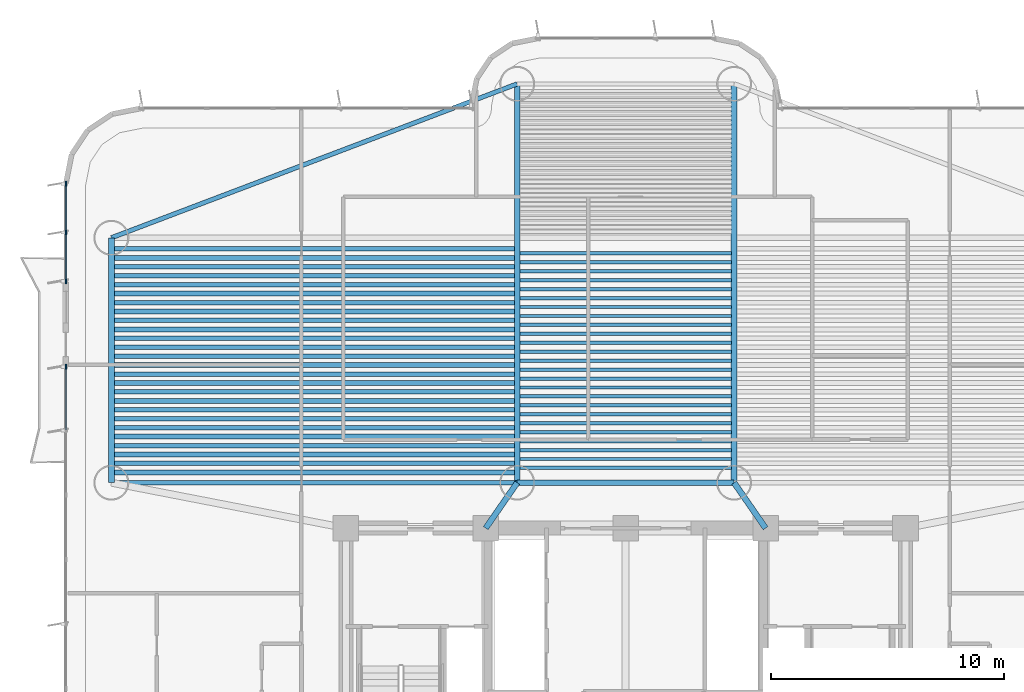
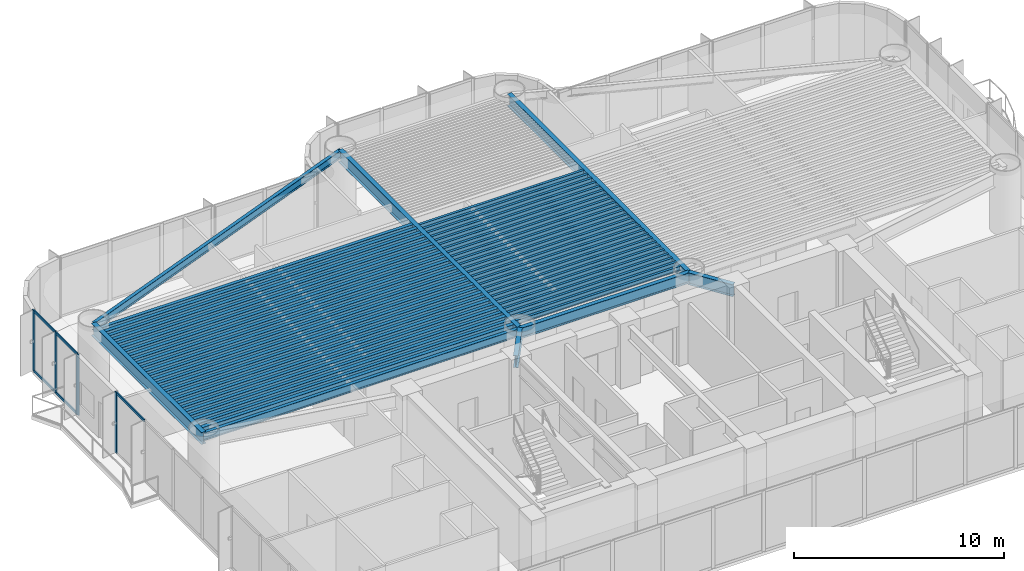
# One storey, part 3 of 17: 59 beams, 9 members, 2 elements without a shape of their own.
"""IFC4 building model written with IfcOpenShell, lengths in metres."""

from ifc_helpers import new_model, si_unit, direction, frame, origin, origin_2d, place, context, subcontext, project, spatial, rectangle, i_section, extrude, source, transform, mapped, material, layer, layer_set, material_profile, profile_set, type_object, element, aggregate, save


model = new_model("IFC4")

# Units and contexts
model_context = context("Model", 3, precision=1e-05, world=origin(), true_north=direction((0.0, 1.0)))
body_context = subcontext(model_context, "Body", "Model", "MODEL_VIEW")
ifc_project = project(units=[si_unit("LENGTHUNIT", "METRE"), si_unit("AREAUNIT", "SQUARE_METRE"), si_unit("VOLUMEUNIT", "CUBIC_METRE"), si_unit("PLANEANGLEUNIT", "RADIAN"), si_unit("MASSUNIT", "GRAM", prefix="KILO")], contexts=[model_context])

# Site, building, storey
site_placement = place(None, origin())
site = spatial("IfcSite", under=ifc_project, at=site_placement, CompositionType="ELEMENT")
building_placement = place(site_placement, origin())
building = spatial("IfcBuilding", under=site, at=building_placement, Name="Brelvock Crest Care Tower", CompositionType="ELEMENT")
storey_placement = place(building_placement, frame((0.0, 0.0, 45.89990234375)))
storey = spatial("IfcBuildingStorey", under=building, at=storey_placement, Name="L11", CompositionType="ELEMENT", Elevation=45.89990234375)

# Beams
ifc_material_1 = material(Name="Steel Grade 350", Category="steel")
ifc_material_profile_1 = material_profile(ifc_material_1, i_section(OverallWidth=0.25, OverallDepth=0.699951171875, WebThickness=0.011962890625, FlangeThickness=0.02001953125, at=origin_2d()), Name="700WB150")
ifc_profile_set_1 = profile_set([ifc_material_profile_1], Name="Steel Grade 350")
beam_type_1 = type_object("IfcBeamType", Name="BM-G4", PredefinedType="BEAM", material=ifc_profile_set_1)
shared_shape_1 = source(origin(), body_context, "Body", "SweptSolid", [
    extrude(i_section(OverallWidth=0.25, OverallDepth=0.699951171875, WebThickness=0.011962890625, FlangeThickness=0.02001953125, at=origin_2d()), origin(), (0.0, 0.0, 1.0), 10.5),
])
beam_1_placement = place(storey_placement, frame((13.949951171875, 19.949951171875, 3.18017578125), z_axis=(0.0, 1.0, 0.0), x_axis=(-1.0, 0.0, 0.0)))
element("IfcBeam", 1, at=beam_1_placement, inside=storey, type_object=beam_type_1, Name="BM-TWR-L11-01", PredefinedType="BEAM", context=body_context, shape_type="MappedRepresentation", body=[
    mapped(shared_shape_1, transform((0.0, 0.0, 0.0), x_axis=(1.0, 0.0, 0.0), y_axis=(0.0, 1.0, 0.0), z_axis=(0.0, 0.0, 1.0), scale=1.0)),
])
ifc_material_profile_2 = material_profile(ifc_material_1, i_section(OverallWidth=0.19091796875, OverallDepth=0.4599609375, WebThickness=0.010009765625, FlangeThickness=0.01611328125, FilletRadius=0.011474609375, at=origin_2d()), Name="460UB82.1")
ifc_profile_set_2 = profile_set([ifc_material_profile_2], Name="Steel Grade 350")
beam_type_2 = type_object("IfcBeamType", Name="BM-SP2", PredefinedType="SPANDREL", material=ifc_profile_set_2)
shared_shape_2 = source(origin(), body_context, "Body", "SweptSolid", [
    extrude(i_section(OverallWidth=0.19091796875, OverallDepth=0.4599609375, WebThickness=0.010009765625, FlangeThickness=0.01611328125, FilletRadius=0.011474609375, at=origin_2d()), origin(), (0.0, 0.0, 1.0), 17.400146484375),
])
beam_2_placement = place(storey_placement, frame((13.949951171875, 19.949951171875, 3.300048828125), z_axis=(1.0, 0.0, 0.0), x_axis=(0.0, 1.0, 0.0)))
element("IfcBeam", 2, at=beam_2_placement, inside=storey, type_object=beam_type_2, Name="BM-TWR-L11-03", PredefinedType="SPANDREL", context=body_context, shape_type="MappedRepresentation", body=[
    mapped(shared_shape_2, transform((0.0, 0.0, 0.0), x_axis=(1.0, 0.0, 0.0), y_axis=(0.0, 1.0, 0.0), z_axis=(0.0, 0.0, 1.0), scale=1.0)),
])
ifc_material_profile_3 = material_profile(ifc_material_1, i_section(OverallWidth=0.22900390625, OverallDepth=0.612060546875, WebThickness=0.011962890625, FlangeThickness=0.01953125, FilletRadius=0.013916015625, at=origin_2d()), Name="610UB125")
ifc_profile_set_3 = profile_set([ifc_material_profile_3], Name="Steel Grade 350")
beam_type_3 = type_object("IfcBeamType", Name="BM-G1", PredefinedType="BEAM", material=ifc_profile_set_3)
shared_shape_3 = source(origin(), body_context, "Body", "SweptSolid", [
    extrude(i_section(OverallWidth=0.22900390625, OverallDepth=0.612060546875, WebThickness=0.011962890625, FlangeThickness=0.01953125, FilletRadius=0.013916015625, at=origin_2d()), origin(), (0.0, 0.0, 1.0), 9.2998046875),
])
beam_3_placement = place(storey_placement, frame((31.35009765625, 19.949951171875, 3.22412109375), z_axis=(1.0, 0.0, 0.0), x_axis=(0.0, 1.0, 0.0)))
element("IfcBeam", 3, at=beam_3_placement, inside=storey, type_object=beam_type_3, Name="BM-TWR-L11-05", PredefinedType="BEAM", context=body_context, shape_type="MappedRepresentation", body=[
    mapped(shared_shape_3, transform((0.0, 0.0, 0.0), x_axis=(1.0, 0.0, 0.0), y_axis=(0.0, 1.0, 0.0), z_axis=(0.0, 0.0, 1.0), scale=1.0)),
])
shared_shape_4 = source(origin(), body_context, "Body", "SweptSolid", [
    extrude(i_section(OverallWidth=0.19091796875, OverallDepth=0.4599609375, WebThickness=0.010009765625, FlangeThickness=0.01611328125, FilletRadius=0.011474609375, at=origin_2d()), origin(), (0.0, 0.0, 1.0), 18.60986328125),
])
beam_4_placement = place(storey_placement, frame((13.949951171875, 30.449951171875, 3.300048828125), z_axis=(0.934996776275, 0.3546562115, 0.0), x_axis=(-0.3546562115, 0.934996776275, 0.0)))
element("IfcBeam", 4, at=beam_4_placement, inside=storey, type_object=beam_type_2, Name="BM-TWR-L11-06", PredefinedType="SPANDREL", context=body_context, shape_type="MappedRepresentation", body=[
    mapped(shared_shape_4, transform((0.0, 0.0, 0.0), x_axis=(1.0, 0.0, 0.0), y_axis=(0.0, 1.0, 0.0), z_axis=(0.0, 0.0, 1.0), scale=1.0)),
])
shared_shape_5 = source(origin(), body_context, "Body", "SweptSolid", [
    extrude(i_section(OverallWidth=0.25, OverallDepth=0.699951171875, WebThickness=0.011962890625, FlangeThickness=0.02001953125, at=origin_2d()), origin(), (0.0, 0.0, 1.0), 17.10009765625),
])
for number, where, z_axis, x_axis, name in (
    (5, (31.35009765625, 19.949951171875, 3.18017578125), (0.0, 1.0, 0.0), (-1.0, 0.0, 0.0), "BM-TWR-L11-09"),
    (6, (40.64990234375, 19.949951171875, 3.18017578125), (0.0, 1.0, 0.0), (-1.0, 0.0, 0.0), "BM-TWR-L11-10"),
):
    element("IfcBeam", number, at=place(storey_placement, frame(where, z_axis=z_axis, x_axis=x_axis)), inside=storey, type_object=beam_type_1, Name=name, PredefinedType="BEAM", context=body_context, shape_type="MappedRepresentation", body=[
        mapped(shared_shape_5, transform((0.0, 0.0, 0.0), x_axis=(1.0, 0.0, 0.0), y_axis=(0.0, 1.0, 0.0), z_axis=(0.0, 0.0, 1.0), scale=1.0)),
    ])
shared_shape_6 = source(origin(), body_context, "Body", "SweptSolid", [
    extrude(i_section(OverallWidth=0.25, OverallDepth=0.699951171875, WebThickness=0.011962890625, FlangeThickness=0.02001953125, at=origin_2d()), origin(), (0.0, 0.0, 1.0), 2.371826171875),
])
for number, where, z_axis, x_axis, name in (
    (7, (30.0, 18.0, 3.18017578125), (0.569247447691, 0.8221662504, 0.0), (-0.8221662504, 0.569247447691, 0.0), "BM-THRW-L11"),
    (8, (42.0, 18.0, 3.18017578125), (-0.569247447691, 0.8221662504, 0.0), (-0.8221662504, -0.569247447691, 0.0), "BM-THRE-L11"),
):
    element("IfcBeam", number, at=place(storey_placement, frame(where, z_axis=z_axis, x_axis=x_axis)), inside=storey, type_object=beam_type_1, Name=name, PredefinedType="BEAM", context=body_context, shape_type="MappedRepresentation", body=[
        mapped(shared_shape_6, transform((0.0, 0.0, 0.0), x_axis=(1.0, 0.0, 0.0), y_axis=(0.0, 1.0, 0.0), z_axis=(0.0, 0.0, 1.0), scale=1.0)),
    ])
ifc_material_profile_4 = material_profile(ifc_material_1, i_section(OverallWidth=0.208984375, OverallDepth=0.532958984375, WebThickness=0.01025390625, FlangeThickness=0.015625, FilletRadius=0.013916015625, at=origin_2d()), Name="530UB92.4")
ifc_profile_set_4 = profile_set([ifc_material_profile_4], Name="Steel Grade 350")
beam_type_4 = type_object("IfcBeamType", Name="BM-G2", PredefinedType="BEAM", material=ifc_profile_set_4)
shared_shape_7 = source(origin(), body_context, "Body", "SweptSolid", [
    extrude(i_section(OverallWidth=0.208984375, OverallDepth=0.532958984375, WebThickness=0.01025390625, FlangeThickness=0.015625, FilletRadius=0.013916015625, at=origin_2d()), origin(), (0.0, 0.0, 1.0), 17.170166015625),
])
for number, where, z_axis, x_axis, name in (
    (9, (14.06494140625, 20.39111328125, 3.263671875), (1.0, 0.0, 0.0), (0.0, 1.0, 0.0), "BM-JW-L11-1"),
    (10, (14.06494140625, 21.157470703125, 3.263671875), (1.0, 0.0, 0.0), (0.0, 1.0, 0.0), "BM-JW-L11-3"),
    (11, (14.06494140625, 21.924072265625, 3.263671875), (1.0, 0.0, 0.0), (0.0, 1.0, 0.0), "BM-JW-L11-5"),
    (12, (14.06494140625, 22.6904296875, 3.263671875), (1.0, 0.0, 0.0), (0.0, 1.0, 0.0), "BM-JW-L11-7"),
    (13, (14.06494140625, 23.45703125, 3.263671875), (1.0, 0.0, 0.0), (0.0, 1.0, 0.0), "BM-JW-L11-9"),
    (14, (14.06494140625, 24.223388671875, 3.263671875), (1.0, 0.0, 0.0), (0.0, 1.0, 0.0), "BM-JW-L11-11"),
    (15, (14.06494140625, 24.989990234375, 3.263671875), (1.0, 0.0, 0.0), (0.0, 1.0, 0.0), "BM-JW-L11-13"),
    (16, (14.06494140625, 25.756591796875, 3.263671875), (1.0, 0.0, 0.0), (0.0, 1.0, 0.0), "BM-JW-L11-15"),
    (17, (14.06494140625, 26.52294921875, 3.263671875), (1.0, 0.0, 0.0), (0.0, 1.0, 0.0), "BM-JW-L11-17"),
    (18, (14.06494140625, 27.28955078125, 3.263671875), (1.0, 0.0, 0.0), (0.0, 1.0, 0.0), "BM-JW-L11-19"),
    (19, (14.06494140625, 28.055908203125, 3.263671875), (1.0, 0.0, 0.0), (0.0, 1.0, 0.0), "BM-JW-L11-21"),
    (20, (14.06494140625, 28.822509765625, 3.263671875), (1.0, 0.0, 0.0), (0.0, 1.0, 0.0), "BM-JW-L11-23"),
    (21, (14.06494140625, 29.589111328125, 3.263671875), (1.0, 0.0, 0.0), (0.0, 1.0, 0.0), "BM-JW-L11-25"),
):
    element("IfcBeam", number, at=place(storey_placement, frame(where, z_axis=z_axis, x_axis=x_axis)), inside=storey, type_object=beam_type_4, Name=name, PredefinedType="BEAM", context=body_context, shape_type="MappedRepresentation", body=[
        mapped(shared_shape_7, transform((0.0, 0.0, 0.0), x_axis=(1.0, 0.0, 0.0), y_axis=(0.0, 1.0, 0.0), z_axis=(0.0, 0.0, 1.0), scale=1.0)),
    ])
ifc_material_profile_5 = material_profile(ifc_material_1, i_section(OverallWidth=0.14599609375, OverallDepth=0.256103515625, WebThickness=0.00634765625, FlangeThickness=0.010986328125, FilletRadius=0.0087890625, at=origin_2d()), Name="250UB37.3")
ifc_profile_set_5 = profile_set([ifc_material_profile_5], Name="Steel Grade 350")
beam_type_5 = type_object("IfcBeamType", Name="BM-J3", PredefinedType="JOIST", material=ifc_profile_set_5)
shared_shape_8 = source(origin(), body_context, "Body", "SweptSolid", [
    extrude(i_section(OverallWidth=0.14599609375, OverallDepth=0.256103515625, WebThickness=0.00634765625, FlangeThickness=0.010986328125, FilletRadius=0.0087890625, at=origin_2d()), origin(), (0.0, 0.0, 1.0), 9.06982421875),
])
for number, where, z_axis, x_axis, name in (
    (22, (31.465087890625, 20.58251953125, 3.402099609375), (1.0, 0.0, 0.0), (0.0, 1.0, 0.0), "BM-JH-L11-1"),
    (23, (31.465087890625, 20.9658203125, 3.402099609375), (1.0, 0.0, 0.0), (0.0, 1.0, 0.0), "BM-JH-L11-2"),
    (24, (31.465087890625, 21.34912109375, 3.402099609375), (1.0, 0.0, 0.0), (0.0, 1.0, 0.0), "BM-JH-L11-3"),
    (25, (31.465087890625, 21.732421875, 3.402099609375), (1.0, 0.0, 0.0), (0.0, 1.0, 0.0), "BM-JH-L11-4"),
    (26, (31.465087890625, 22.115478515625, 3.402099609375), (1.0, 0.0, 0.0), (0.0, 1.0, 0.0), "BM-JH-L11-5"),
    (27, (31.465087890625, 22.498779296875, 3.402099609375), (1.0, 0.0, 0.0), (0.0, 1.0, 0.0), "BM-JH-L11-6"),
    (28, (31.465087890625, 22.882080078125, 3.402099609375), (1.0, 0.0, 0.0), (0.0, 1.0, 0.0), "BM-JH-L11-7"),
    (29, (31.465087890625, 23.265380859375, 3.402099609375), (1.0, 0.0, 0.0), (0.0, 1.0, 0.0), "BM-JH-L11-8"),
    (30, (31.465087890625, 23.648681640625, 3.402099609375), (1.0, 0.0, 0.0), (0.0, 1.0, 0.0), "BM-JH-L11-9"),
    (31, (31.465087890625, 24.03173828125, 3.402099609375), (1.0, 0.0, 0.0), (0.0, 1.0, 0.0), "BM-JH-L11-10"),
    (32, (31.465087890625, 24.4150390625, 3.402099609375), (1.0, 0.0, 0.0), (0.0, 1.0, 0.0), "BM-JH-L11-11"),
    (33, (31.465087890625, 24.79833984375, 3.402099609375), (1.0, 0.0, 0.0), (0.0, 1.0, 0.0), "BM-JH-L11-12"),
    (34, (31.465087890625, 25.181640625, 3.402099609375), (1.0, 0.0, 0.0), (0.0, 1.0, 0.0), "BM-JH-L11-13"),
    (35, (31.465087890625, 25.564697265625, 3.402099609375), (1.0, 0.0, 0.0), (0.0, 1.0, 0.0), "BM-JH-L11-14"),
    (36, (31.465087890625, 25.947998046875, 3.402099609375), (1.0, 0.0, 0.0), (0.0, 1.0, 0.0), "BM-JH-L11-15"),
    (37, (31.465087890625, 26.331298828125, 3.402099609375), (1.0, 0.0, 0.0), (0.0, 1.0, 0.0), "BM-JH-L11-16"),
    (38, (31.465087890625, 26.714599609375, 3.402099609375), (1.0, 0.0, 0.0), (0.0, 1.0, 0.0), "BM-JH-L11-17"),
    (39, (31.465087890625, 27.097900390625, 3.402099609375), (1.0, 0.0, 0.0), (0.0, 1.0, 0.0), "BM-JH-L11-18"),
    (40, (31.465087890625, 27.481201171875, 3.402099609375), (1.0, 0.0, 0.0), (0.0, 1.0, 0.0), "BM-JH-L11-19"),
    (41, (31.465087890625, 27.864501953125, 3.402099609375), (1.0, 0.0, 0.0), (0.0, 1.0, 0.0), "BM-JH-L11-20"),
    (42, (31.465087890625, 28.24755859375, 3.402099609375), (1.0, 0.0, 0.0), (0.0, 1.0, 0.0), "BM-JH-L11-21"),
    (43, (31.465087890625, 28.630859375, 3.402099609375), (1.0, 0.0, 0.0), (0.0, 1.0, 0.0), "BM-JH-L11-22"),
    (44, (31.465087890625, 29.01416015625, 3.402099609375), (1.0, 0.0, 0.0), (0.0, 1.0, 0.0), "BM-JH-L11-23"),
    (45, (31.465087890625, 29.397216796875, 3.402099609375), (1.0, 0.0, 0.0), (0.0, 1.0, 0.0), "BM-JH-L11-24"),
    (46, (31.465087890625, 29.780517578125, 3.402099609375), (1.0, 0.0, 0.0), (0.0, 1.0, 0.0), "BM-JH-L11-25"),
):
    element("IfcBeam", number, at=place(storey_placement, frame(where, z_axis=z_axis, x_axis=x_axis)), inside=storey, type_object=beam_type_5, Name=name, PredefinedType="JOIST", context=body_context, shape_type="MappedRepresentation", body=[
        mapped(shared_shape_8, transform((0.0, 0.0, 0.0), x_axis=(1.0, 0.0, 0.0), y_axis=(0.0, 1.0, 0.0), z_axis=(0.0, 0.0, 1.0), scale=1.0)),
    ])
ifc_material_profile_6 = material_profile(ifc_material_1, i_section(OverallWidth=0.19091796875, OverallDepth=0.4599609375, WebThickness=0.010009765625, FlangeThickness=0.01611328125, FilletRadius=0.011474609375, at=origin_2d()), Name="460UB82.1")
ifc_profile_set_6 = profile_set([ifc_material_profile_6], Name="Steel Grade 350")
beam_type_6 = type_object("IfcBeamType", Name="BM-G3", PredefinedType="BEAM", material=ifc_profile_set_6)
shared_shape_9 = source(origin(), body_context, "Body", "SweptSolid", [
    extrude(i_section(OverallWidth=0.19091796875, OverallDepth=0.4599609375, WebThickness=0.010009765625, FlangeThickness=0.01611328125, FilletRadius=0.011474609375, at=origin_2d()), origin(), (0.0, 0.0, 1.0), 17.170166015625),
])
for number, where, z_axis, x_axis, name in (
    (47, (14.06494140625, 20.774169921875, 3.300048828125), (1.0, 0.0, 0.0), (0.0, 1.0, 0.0), "BM-JW-L11-2"),
    (48, (14.06494140625, 21.540771484375, 3.300048828125), (1.0, 0.0, 0.0), (0.0, 1.0, 0.0), "BM-JW-L11-4"),
    (49, (14.06494140625, 22.30712890625, 3.300048828125), (1.0, 0.0, 0.0), (0.0, 1.0, 0.0), "BM-JW-L11-6"),
    (50, (14.06494140625, 23.07373046875, 3.300048828125), (1.0, 0.0, 0.0), (0.0, 1.0, 0.0), "BM-JW-L11-8"),
    (51, (14.06494140625, 23.840087890625, 3.300048828125), (1.0, 0.0, 0.0), (0.0, 1.0, 0.0), "BM-JW-L11-10"),
    (52, (14.06494140625, 24.606689453125, 3.300048828125), (1.0, 0.0, 0.0), (0.0, 1.0, 0.0), "BM-JW-L11-12"),
    (53, (14.06494140625, 25.373291015625, 3.300048828125), (1.0, 0.0, 0.0), (0.0, 1.0, 0.0), "BM-JW-L11-14"),
    (54, (14.06494140625, 26.1396484375, 3.300048828125), (1.0, 0.0, 0.0), (0.0, 1.0, 0.0), "BM-JW-L11-16"),
    (55, (14.06494140625, 26.90625, 3.300048828125), (1.0, 0.0, 0.0), (0.0, 1.0, 0.0), "BM-JW-L11-18"),
    (56, (14.06494140625, 27.6728515625, 3.300048828125), (1.0, 0.0, 0.0), (0.0, 1.0, 0.0), "BM-JW-L11-20"),
    (57, (14.06494140625, 28.439208984375, 3.300048828125), (1.0, 0.0, 0.0), (0.0, 1.0, 0.0), "BM-JW-L11-22"),
    (58, (14.06494140625, 29.205810546875, 3.300048828125), (1.0, 0.0, 0.0), (0.0, 1.0, 0.0), "BM-JW-L11-24"),
    (59, (14.06494140625, 29.97216796875, 3.300048828125), (1.0, 0.0, 0.0), (0.0, 1.0, 0.0), "BM-JW-L11-26"),
):
    element("IfcBeam", number, at=place(storey_placement, frame(where, z_axis=z_axis, x_axis=x_axis)), inside=storey, type_object=beam_type_6, Name=name, PredefinedType="BEAM", context=body_context, shape_type="MappedRepresentation", body=[
        mapped(shared_shape_9, transform((0.0, 0.0, 0.0), x_axis=(1.0, 0.0, 0.0), y_axis=(0.0, 1.0, 0.0), z_axis=(0.0, 0.0, 1.0), scale=1.0)),
    ])

# Curtain wall, member
ifc_material_2 = material(Name="Dark Glass Double Glazed Low-E", Category="glass")
ifc_layer = layer(ifc_material_2, 0.195068359375, Name="CWS-2")
ifc_layer_set = layer_set([ifc_layer], Name="Dark Glass Double Glazed Low-E")
curtain_wall_type = type_object("IfcCurtainWallType", Name="CWS-2", PredefinedType="NOTDEFINED", material=ifc_layer_set)
curtain_wall_1_placement = place(storey_placement, origin())
curtain_wall_1 = element("IfcCurtainWall", 60, at=curtain_wall_1_placement, inside=storey, type_object=curtain_wall_type, Name="L11 Curtain Wall E13A", PredefinedType="NOTDEFINED")
ifc_material_3 = material(Name="Aluminium 6063-T6", Category="aluminium")
ifc_material_profile_7 = material_profile(ifc_material_3, rectangle(XDim=0.06494140625, YDim=0.199951171875, at=origin_2d()), Name="ALU65x200")
ifc_profile_set_7 = profile_set([ifc_material_profile_7], Name="Aluminium 6063-T6")
member_type_1 = type_object("IfcMemberType", Name="CWM-1", PredefinedType="MULLION", material=ifc_profile_set_7)
shared_shape_10 = source(origin(), body_context, "Body", "SweptSolid", [
    extrude(rectangle(XDim=0.06494140625, YDim=0.199951171875, at=origin_2d()), origin(), (0.0, 0.0, 1.0), 3.530029296875),
])
member_1_placement = place(storey_placement, frame((12.0, 24.91748046875, 0.0), z_axis=(0.0, 0.0, 1.0), x_axis=(-1.0, 0.0, 0.0)))
member_1 = element("IfcMember", 61, at=member_1_placement, type_object=member_type_1, Name="CW-2 mullion 8", PredefinedType="MULLION", context=body_context, shape_type="MappedRepresentation", body=[
    mapped(shared_shape_10, transform((0.0, 0.0, 0.0), x_axis=(1.0, 0.0, 0.0), y_axis=(0.0, 1.0, 0.0), z_axis=(0.0, 0.0, 1.0), scale=1.0)),
])

# Curtain wall, members
curtain_wall_2_placement = place(storey_placement, origin())
curtain_wall_2 = element("IfcCurtainWall", 62, at=curtain_wall_2_placement, inside=storey, type_object=curtain_wall_type, Name="L11 Curtain Wall E13B", PredefinedType="NOTDEFINED")
member_2_placement = place(storey_placement, frame((12.0, 28.58251953125, 0.0), z_axis=(0.0, 0.0, 1.0), x_axis=(-1.0, 0.0, 0.0)))
member_2 = element("IfcMember", 63, at=member_2_placement, type_object=member_type_1, Name="CW-2 mullion 1", PredefinedType="MULLION", context=body_context, shape_type="MappedRepresentation", body=[
    mapped(shared_shape_10, transform((0.0, 0.0, 0.0), x_axis=(1.0, 0.0, 0.0), y_axis=(0.0, 1.0, 0.0), z_axis=(0.0, 0.0, 1.0), scale=1.0)),
])
member_3_placement = place(storey_placement, frame((12.0, 30.675048828125, 0.0), z_axis=(0.0, 0.0, 1.0), x_axis=(-1.0, 0.0, 0.0)))
member_3 = element("IfcMember", 64, at=member_3_placement, type_object=member_type_1, Name="CW-2 mullion 2", PredefinedType="MULLION", context=body_context, shape_type="MappedRepresentation", body=[
    mapped(shared_shape_10, transform((0.0, 0.0, 0.0), x_axis=(1.0, 0.0, 0.0), y_axis=(0.0, 1.0, 0.0), z_axis=(0.0, 0.0, 1.0), scale=1.0)),
])
member_4_placement = place(storey_placement, frame((12.0, 32.767578125, 0.0), z_axis=(0.0, 0.0, 1.0), x_axis=(-1.0, 0.0, 0.0)))
member_4 = element("IfcMember", 65, at=member_4_placement, type_object=member_type_1, Name="CW-2 mullion 3", PredefinedType="MULLION", context=body_context, shape_type="MappedRepresentation", body=[
    mapped(shared_shape_10, transform((0.0, 0.0, 0.0), x_axis=(1.0, 0.0, 0.0), y_axis=(0.0, 1.0, 0.0), z_axis=(0.0, 0.0, 1.0), scale=1.0)),
])
ifc_material_profile_8 = material_profile(ifc_material_3, rectangle(XDim=0.06494140625, YDim=0.14990234375, at=origin_2d()), Name="ALU65x150")
ifc_profile_set_8 = profile_set([ifc_material_profile_8], Name="Aluminium 6063-T6")
member_type_2 = type_object("IfcMemberType", Name="CWT-1", PredefinedType="USERDEFINED", material=ifc_profile_set_8)
shared_shape_11 = source(origin(), body_context, "Body", "SweptSolid", [
    extrude(rectangle(XDim=0.06494140625, YDim=0.14990234375, at=origin_2d()), origin(), (0.0, 0.0, 1.0), 2.027587890625),
])
member_5_placement = place(storey_placement, frame((12.0, 28.614990234375, 0.03271484375), z_axis=(0.0, 1.0, 0.0), x_axis=(-1.0, 0.0, 0.0)))
member_5 = element("IfcMember", 66, at=member_5_placement, type_object=member_type_2, Name="CW-2 transom 1.1", ObjectType="TRANSOM", PredefinedType="USERDEFINED", context=body_context, shape_type="MappedRepresentation", body=[
    mapped(shared_shape_11, transform((0.0, 0.0, 0.0), x_axis=(1.0, 0.0, 0.0), y_axis=(0.0, 1.0, 0.0), z_axis=(0.0, 0.0, 1.0), scale=1.0)),
])
member_6_placement = place(storey_placement, frame((12.0, 28.614990234375, 3.49755859375), z_axis=(0.0, 1.0, 0.0), x_axis=(-1.0, 0.0, 0.0)))
member_6 = element("IfcMember", 67, at=member_6_placement, type_object=member_type_2, Name="CW-2 transom 1.2", ObjectType="TRANSOM", PredefinedType="USERDEFINED", context=body_context, shape_type="MappedRepresentation", body=[
    mapped(shared_shape_11, transform((0.0, 0.0, 0.0), x_axis=(1.0, 0.0, 0.0), y_axis=(0.0, 1.0, 0.0), z_axis=(0.0, 0.0, 1.0), scale=1.0)),
])
member_7_placement = place(storey_placement, frame((12.0, 30.70751953125, 0.03271484375), z_axis=(0.0, 1.0, 0.0), x_axis=(-1.0, 0.0, 0.0)))
member_7 = element("IfcMember", 68, at=member_7_placement, type_object=member_type_2, Name="CW-2 transom 2.1", ObjectType="TRANSOM", PredefinedType="USERDEFINED", context=body_context, shape_type="MappedRepresentation", body=[
    mapped(shared_shape_11, transform((0.0, 0.0, 0.0), x_axis=(1.0, 0.0, 0.0), y_axis=(0.0, 1.0, 0.0), z_axis=(0.0, 0.0, 1.0), scale=1.0)),
])
member_8_placement = place(storey_placement, frame((12.0, 30.70751953125, 3.49755859375), z_axis=(0.0, 1.0, 0.0), x_axis=(-1.0, 0.0, 0.0)))
member_8 = element("IfcMember", 69, at=member_8_placement, type_object=member_type_2, Name="CW-2 transom 2.2", ObjectType="TRANSOM", PredefinedType="USERDEFINED", context=body_context, shape_type="MappedRepresentation", body=[
    mapped(shared_shape_11, transform((0.0, 0.0, 0.0), x_axis=(1.0, 0.0, 0.0), y_axis=(0.0, 1.0, 0.0), z_axis=(0.0, 0.0, 1.0), scale=1.0)),
])
aggregate(curtain_wall_2, [member_2, member_3, member_4, member_5, member_6, member_7, member_8])

# Member
shared_shape_12 = source(origin(), body_context, "Body", "SweptSolid", [
    extrude(rectangle(XDim=0.06494140625, YDim=0.14990234375, at=origin_2d()), origin(), (0.0, 0.0, 1.0), 2.666748046875),
])
member_9_placement = place(storey_placement, frame((12.0, 22.21826171875, 3.49755859375), z_axis=(0.0, 1.0, 0.0), x_axis=(-1.0, 0.0, 0.0)))
member_9 = element("IfcMember", 70, at=member_9_placement, type_object=member_type_2, Name="CW-2 transom 7.2", ObjectType="TRANSOM", PredefinedType="USERDEFINED", context=body_context, shape_type="MappedRepresentation", body=[
    mapped(shared_shape_12, transform((0.0, 0.0, 0.0), x_axis=(1.0, 0.0, 0.0), y_axis=(0.0, 1.0, 0.0), z_axis=(0.0, 0.0, 1.0), scale=1.0)),
])

aggregate(curtain_wall_1, [member_1, member_9])

save(model, "model.ifc")
